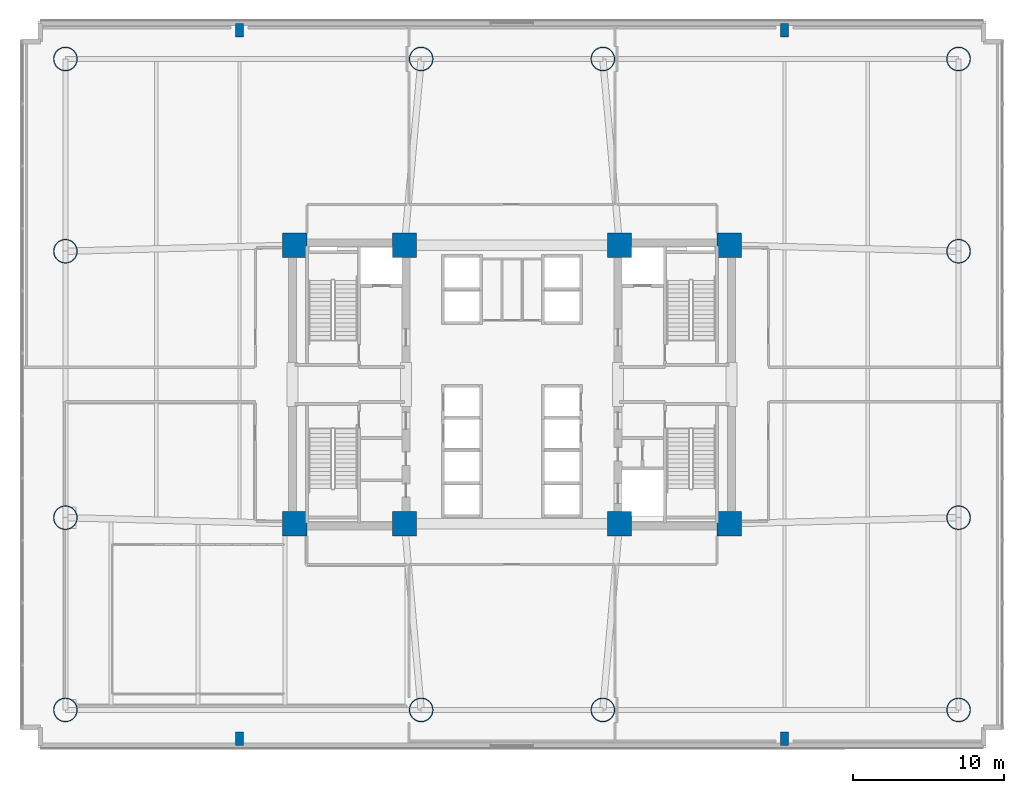
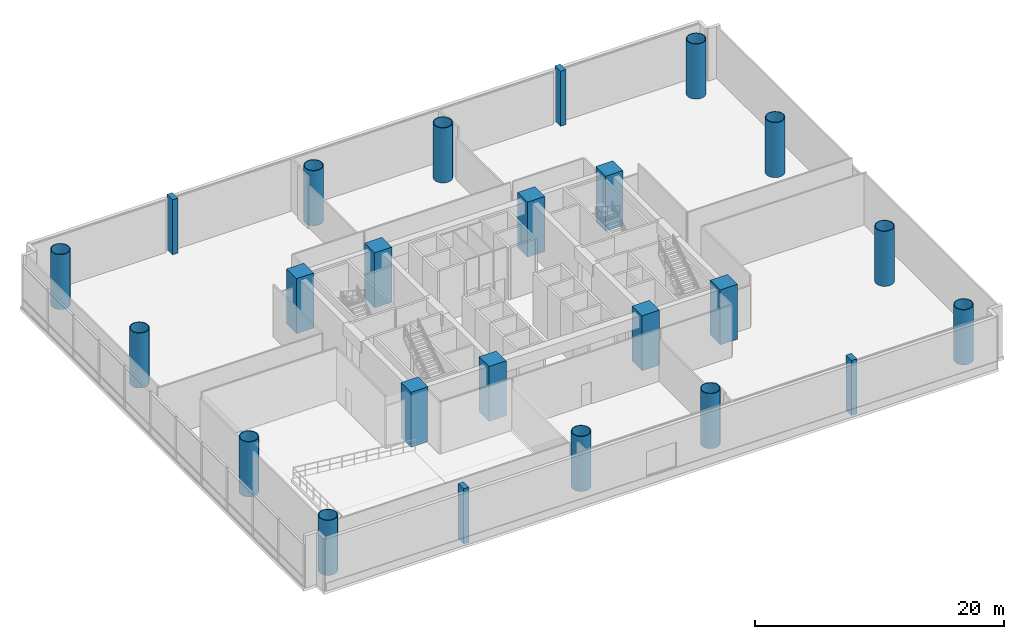
# One storey, part 1 of 15: 24 columns.
"""IFC4 building model written with IfcOpenShell, lengths in metres."""

from ifc_helpers import new_model, si_unit, direction, frame, origin, origin_2d, place, context, subcontext, project, spatial, rectangle, hollow_circle, extrude, source, transform, mapped, material, material_profile, profile_set, type_object, element, save


model = new_model("IFC4")

# Units and contexts
model_context = context("Model", 3, precision=1e-05, world=origin(), true_north=direction((0.0, 1.0)))
body_context = subcontext(model_context, "Body", "Model", "MODEL_VIEW")
ifc_project = project(units=[si_unit("LENGTHUNIT", "METRE"), si_unit("AREAUNIT", "SQUARE_METRE"), si_unit("VOLUMEUNIT", "CUBIC_METRE"), si_unit("PLANEANGLEUNIT", "RADIAN"), si_unit("MASSUNIT", "GRAM", prefix="KILO")], contexts=[model_context])

# Site, building, storey
site_placement = place(None, origin())
site = spatial("IfcSite", under=ifc_project, at=site_placement, CompositionType="ELEMENT")
building_placement = place(site_placement, origin())
building = spatial("IfcBuilding", under=site, at=building_placement, Name="Zahravan Cultural Tower", CompositionType="ELEMENT")
storey_placement = place(building_placement, frame((0.0, 0.0, 12.60009765625)))
storey = spatial("IfcBuildingStorey", under=building, at=storey_placement, Name="L02", CompositionType="ELEMENT", Elevation=12.60009765625)

# Columns
ifc_material_1 = material(Name="Concrete C60/75", Category="concrete")
ifc_material_profile_1 = material_profile(ifc_material_1, rectangle(XDim=1.60009765625, YDim=1.60009765625, at=origin_2d()), Name="RC1600X1600")
ifc_profile_set_1 = profile_set([ifc_material_profile_1], Name="Concrete C60/75")
column_type_1 = type_object("IfcColumnType", Name="COL-RC1600", PredefinedType="COLUMN", material=ifc_profile_set_1)
shared_shape_1 = source(origin(), body_context, "Body", "SweptSolid", [
    extrude(rectangle(XDim=1.60009765625, YDim=1.60009765625, at=origin_2d()), origin(), (0.0, 0.0, 1.0), 5.39990234375),
])
for number, where, z_axis, x_axis, name in (
    (1, (21.64990234375, 17.800048828125, 0.0), (0.0, 0.0, 1.0), (1.0, 0.0, 0.0), "L02 Column CC-W1"),
    (2, (28.89990234375, 17.800048828125, 0.0), (0.0, 0.0, 1.0), (1.0, 0.0, 0.0), "L02 Column CC-W2"),
    (3, (21.64990234375, 36.199951171875, 0.0), (0.0, 0.0, 1.0), (1.0, 0.0, 0.0), "L02 Column CC-W3"),
    (4, (28.89990234375, 36.199951171875, 0.0), (0.0, 0.0, 1.0), (1.0, 0.0, 0.0), "L02 Column CC-W4"),
    (5, (43.10009765625, 17.800048828125, 0.0), (0.0, 0.0, 1.0), (1.0, 0.0, 0.0), "L02 Column CC-E1"),
    (6, (50.35009765625, 17.800048828125, 0.0), (0.0, 0.0, 1.0), (1.0, 0.0, 0.0), "L02 Column CC-E2"),
    (7, (43.10009765625, 36.199951171875, 0.0), (0.0, 0.0, 1.0), (1.0, 0.0, 0.0), "L02 Column CC-E3"),
    (8, (50.35009765625, 36.199951171875, 0.0), (0.0, 0.0, 1.0), (1.0, 0.0, 0.0), "L02 Column CC-E4"),
):
    element("IfcColumn", number, at=place(storey_placement, frame(where, z_axis=z_axis, x_axis=x_axis)), inside=storey, type_object=column_type_1, Name=name, PredefinedType="COLUMN", context=body_context, shape_type="MappedRepresentation", body=[
        mapped(shared_shape_1, transform((0.0, 0.0, 0.0), x_axis=(1.0, 0.0, 0.0), y_axis=(0.0, 1.0, 0.0), z_axis=(0.0, 0.0, 1.0), scale=1.0)),
    ])
ifc_material_2 = material(Name="Steel ASTM A572 Grade 50", Category="steel")
ifc_material_profile_2 = material_profile(ifc_material_2, hollow_circle(Radius=0.800048828125, WallThickness=0.06005859375, at=origin_2d()), Name="CHS1600X60")
ifc_profile_set_2 = profile_set([ifc_material_profile_2], Name="Steel ASTM A572 Grade 50")
column_type_2 = type_object("IfcColumnType", Name="COL-STILT-1600", PredefinedType="COLUMN", material=ifc_profile_set_2)
shared_shape_2 = source(origin(), body_context, "Body", "SweptSolid", [
    extrude(hollow_circle(Radius=0.800048828125, WallThickness=0.06005859375, at=origin_2d()), origin(), (0.0, 0.0, 1.0), 5.39990234375),
])
for number, where, z_axis, x_axis, name in (
    (9, (6.5, 5.5, 0.0), (0.0, 0.0, 1.0), (1.0, 0.0, 0.0), "L02 Column PC-01"),
    (10, (30.0, 5.5, 0.0), (0.0, 0.0, 1.0), (1.0, 0.0, 0.0), "L02 Column PC-02"),
    (11, (42.0, 5.5, 0.0), (0.0, 0.0, 1.0), (1.0, 0.0, 0.0), "L02 Column PC-03"),
    (12, (65.5, 5.5, 0.0), (0.0, 0.0, 1.0), (1.0, 0.0, 0.0), "L02 Column PC-04"),
    (13, (6.5, 18.199951171875, 0.0), (0.0, 0.0, 1.0), (1.0, 0.0, 0.0), "L02 Column PC-05"),
    (14, (65.5, 18.199951171875, 0.0), (0.0, 0.0, 1.0), (1.0, 0.0, 0.0), "L02 Column PC-06"),
    (15, (6.5, 35.800048828125, 0.0), (0.0, 0.0, 1.0), (1.0, 0.0, 0.0), "L02 Column PC-07"),
    (16, (65.5, 35.800048828125, 0.0), (0.0, 0.0, 1.0), (1.0, 0.0, 0.0), "L02 Column PC-08"),
    (17, (6.5, 48.5, 0.0), (0.0, 0.0, 1.0), (1.0, 0.0, 0.0), "L02 Column PC-09"),
    (18, (30.0, 48.5, 0.0), (0.0, 0.0, 1.0), (1.0, 0.0, 0.0), "L02 Column PC-10"),
    (19, (42.0, 48.5, 0.0), (0.0, 0.0, 1.0), (1.0, 0.0, 0.0), "L02 Column PC-11"),
    (20, (65.5, 48.5, 0.0), (0.0, 0.0, 1.0), (1.0, 0.0, 0.0), "L02 Column PC-12"),
):
    element("IfcColumn", number, at=place(storey_placement, frame(where, z_axis=z_axis, x_axis=x_axis)), inside=storey, type_object=column_type_2, Name=name, PredefinedType="COLUMN", context=body_context, shape_type="MappedRepresentation", body=[
        mapped(shared_shape_2, transform((0.0, 0.0, 0.0), x_axis=(1.0, 0.0, 0.0), y_axis=(0.0, 1.0, 0.0), z_axis=(0.0, 0.0, 1.0), scale=1.0)),
    ])
ifc_material_3 = material(Name="Concrete C45/55", Category="concrete")
ifc_material_profile_3 = material_profile(ifc_material_3, rectangle(XDim=0.5, YDim=0.89990234375, at=origin_2d()), Name="RC500X900")
ifc_profile_set_3 = profile_set([ifc_material_profile_3], Name="Concrete C45/55")
column_type_3 = type_object("IfcColumnType", Name="PIL-RC500X900", PredefinedType="PILASTER", material=ifc_profile_set_3)
shared_shape_3 = source(origin(), body_context, "Body", "SweptSolid", [
    extrude(rectangle(XDim=0.5, YDim=0.89990234375, at=origin_2d()), origin(), (0.0, 0.0, 1.0), 5.39990234375),
])
for number, where, z_axis, x_axis, name in (
    (21, (18.0, 3.60009765625, 0.0), (0.0, 0.0, 1.0), (1.0, 0.0, 0.0), "L02 Engaged Pilaster S1"),
    (22, (54.0, 3.60009765625, 0.0), (0.0, 0.0, 1.0), (1.0, 0.0, 0.0), "L02 Engaged Pilaster S2"),
    (23, (18.0, 50.39990234375, 0.0), (0.0, 0.0, 1.0), (1.0, 0.0, 0.0), "L02 Engaged Pilaster N1"),
    (24, (54.0, 50.39990234375, 0.0), (0.0, 0.0, 1.0), (1.0, 0.0, 0.0), "L02 Engaged Pilaster N2"),
):
    element("IfcColumn", number, at=place(storey_placement, frame(where, z_axis=z_axis, x_axis=x_axis)), inside=storey, type_object=column_type_3, Name=name, PredefinedType="PILASTER", context=body_context, shape_type="MappedRepresentation", body=[
        mapped(shared_shape_3, transform((0.0, 0.0, 0.0), x_axis=(1.0, 0.0, 0.0), y_axis=(0.0, 1.0, 0.0), z_axis=(0.0, 0.0, 1.0), scale=1.0)),
    ])

save(model, "model.ifc")
